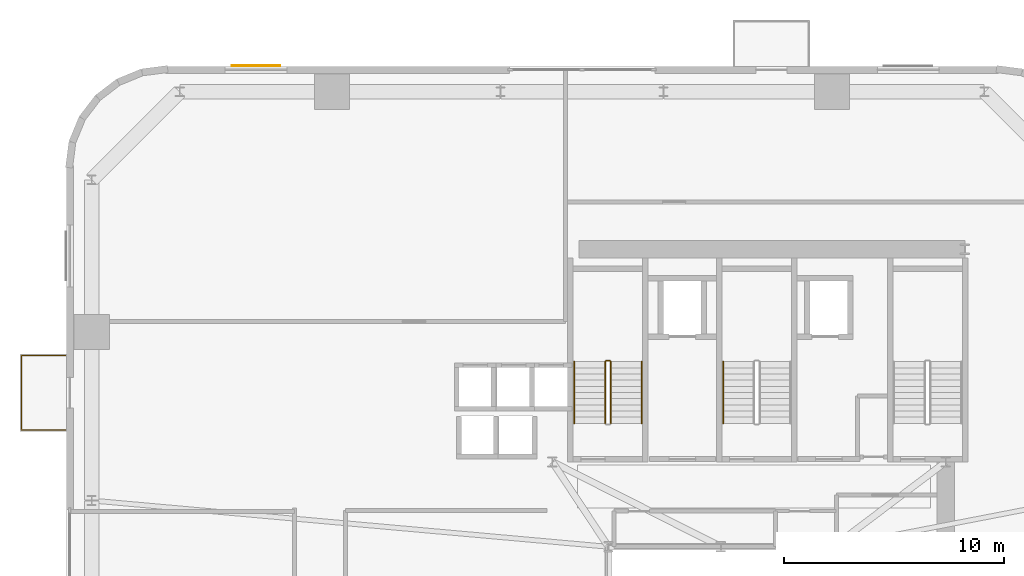
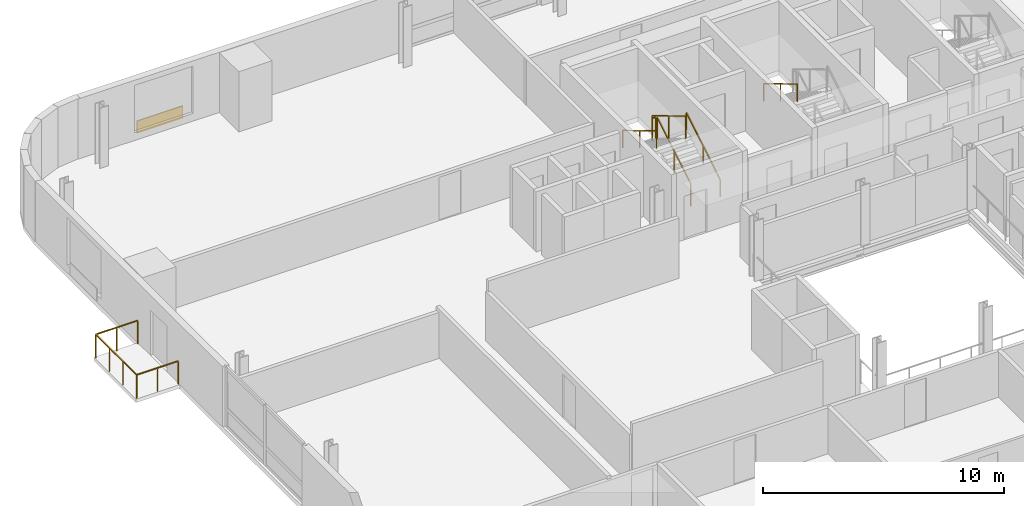
# One storey, part 13 of 14: 7 railings, 1 covering.
"""IFC4 building model written with IfcOpenShell, lengths in metres."""

from ifc_helpers import new_model, si_unit, direction, frame, origin, origin_2d, place, context, subcontext, project, spatial, rectangle, extrude, source, transform, mapped, material, layer, layer_set, type_object, element, save


model = new_model("IFC4")

# Units and contexts
model_context = context("Model", 3, precision=1e-05, world=origin(), true_north=direction((0.0, 1.0)))
body_context = subcontext(model_context, "Body", "Model", "MODEL_VIEW")
ifc_project = project(units=[si_unit("LENGTHUNIT", "METRE"), si_unit("AREAUNIT", "SQUARE_METRE"), si_unit("VOLUMEUNIT", "CUBIC_METRE"), si_unit("PLANEANGLEUNIT", "RADIAN"), si_unit("MASSUNIT", "GRAM", prefix="KILO")], contexts=[model_context])

# Site, building, storey
site_placement = place(None, origin())
site = spatial("IfcSite", under=ifc_project, at=site_placement, CompositionType="ELEMENT")
building_placement = place(site_placement, origin())
building = spatial("IfcBuilding", under=site, at=building_placement, Name="Vardaveli Station Tower", CompositionType="ELEMENT")
storey_placement = place(building_placement, frame((0.0, 0.0, 163.10009765625)))
storey = spatial("IfcBuildingStorey", under=building, at=storey_placement, Name="L42", CompositionType="ELEMENT", Elevation=163.10009765625)

# Covering
ifc_material_1 = material(Name="Ventilated honed travertine stone cladding", Category="masonry")
ifc_layer = layer(ifc_material_1, 0.044921875, Name="Ventilated honed travertine stone cladding")
ifc_layer_set = layer_set([ifc_layer], Name="Ventilated honed travertine stone cladding")
covering_type = type_object("IfcCoveringType", Name="COV-CLAD-TR45", PredefinedType="CLADDING", material=ifc_layer_set)
shared_shape_1 = source(origin(), body_context, "Body", "SweptSolid", [
    extrude(rectangle(XDim=2.199951171875, YDim=0.044921875, at=origin_2d()), origin(), (0.0, 0.0, 1.0), 0.6201171875),
])
covering_placement = place(storey_placement, frame((15.205078125, 48.614501953125, 0.06982421875), z_axis=(0.0, 0.0, 1.0), x_axis=(1.0, 0.0, 0.0)))
element("IfcCovering", 1, at=covering_placement, inside=storey, type_object=covering_type, Name="CLD-TR-L42-N", PredefinedType="CLADDING", context=body_context, shape_type="MappedRepresentation", body=[
    mapped(shared_shape_1, transform((0.0, 0.0, 0.0), scale=1.0)),
])

# Railings
ifc_material_2 = material(Name="Laminated glass and stainless steel balustrade", Category="steel")
railing_type_1 = type_object("IfcRailingType", Name="RL-BAL-1200", PredefinedType="BALUSTRADE", material=ifc_material_2)
shared_shape_2 = source(origin(), body_context, "Body", "SweptSolid", [
    extrude(rectangle(XDim=0.048095703125, YDim=0.048095703125, at=origin_2d()), frame((0.0, 0.0, 1.17578125), z_axis=(-1.0, 0.0, 0.0), x_axis=(0.0, -1.0, 0.0)), (0.0, 0.0, 1.0), 2.0),
    extrude(rectangle(XDim=0.048095703125, YDim=0.048095703125, at=origin_2d()), frame((-2.0, 0.0, 1.17578125), z_axis=(0.0, 1.0, 0.0), x_axis=(-1.0, 0.0, 0.0)), (0.0, 0.0, 1.0), 3.3798828125),
    extrude(rectangle(XDim=0.048095703125, YDim=0.048095703125, at=origin_2d()), frame((-2.0, 3.3798828125, 1.17578125), z_axis=(1.0, 0.0, 0.0), x_axis=(0.0, 1.0, 0.0)), (0.0, 0.0, 1.0), 2.0),
    extrude(rectangle(XDim=0.0419921875, YDim=0.0419921875, at=origin_2d()), origin(), (0.0, 0.0, 1.0), 1.15185546875),
    extrude(rectangle(XDim=0.0419921875, YDim=0.0419921875, at=origin_2d()), frame((-1.0, 0.0, 0.0)), (0.0, 0.0, 1.0), 1.15185546875),
    extrude(rectangle(XDim=0.0419921875, YDim=0.0419921875, at=origin_2d()), frame((-2.0, 0.0, 0.0)), (0.0, 0.0, 1.0), 1.15185546875),
    extrude(rectangle(XDim=0.0419921875, YDim=0.0419921875, at=origin_2d()), frame((-2.0, 1.126708984375, 0.0)), (0.0, 0.0, 1.0), 1.15185546875),
    extrude(rectangle(XDim=0.0419921875, YDim=0.0419921875, at=origin_2d()), frame((-2.0, 2.253173828125, 0.0)), (0.0, 0.0, 1.0), 1.15185546875),
    extrude(rectangle(XDim=0.0419921875, YDim=0.0419921875, at=origin_2d()), frame((-2.0, 3.3798828125, 0.0)), (0.0, 0.0, 1.0), 1.15185546875),
    extrude(rectangle(XDim=0.0419921875, YDim=0.0419921875, at=origin_2d()), frame((-1.0, 3.3798828125, 0.0)), (0.0, 0.0, 1.0), 1.15185546875),
    extrude(rectangle(XDim=0.0419921875, YDim=0.0419921875, at=origin_2d()), frame((0.0, 3.3798828125, 0.0)), (0.0, 0.0, 1.0), 1.15185546875),
])
railing_1_placement = place(storey_placement, frame((6.56005859375, 32.099609375, 0.0)))
element("IfcRailing", 2, at=railing_1_placement, inside=storey, type_object=railing_type_1, Name="RL-LOG-L42-03", PredefinedType="BALUSTRADE", context=body_context, shape_type="MappedRepresentation", body=[
    mapped(shared_shape_2, transform((0.0, 0.0, 0.0), scale=1.0)),
])
ifc_material_3 = material(Name="Brushed AISI 316 stainless steel", Category="steel")
railing_type_2 = type_object("IfcRailingType", Name="RL-GUARD-1150", PredefinedType="GUARDRAIL", material=ifc_material_3)
shared_shape_3 = source(origin(), body_context, "Body", "SweptSolid", [
    extrude(rectangle(XDim=0.048095703125, YDim=0.048095703125, at=origin_2d()), frame((0.0, 0.0, 1.1259765625), z_axis=(-1.0, 0.0, 0.0), x_axis=(0.0, -1.0, 0.0)), (0.0, 0.0, 1.0), 0.14990234375),
    extrude(rectangle(XDim=0.0419921875, YDim=0.0419921875, at=origin_2d()), origin(), (0.0, 0.0, 1.0), 1.101806640625),
    extrude(rectangle(XDim=0.0419921875, YDim=0.0419921875, at=origin_2d()), frame((-0.14990234375, 0.0, 0.0)), (0.0, 0.0, 1.0), 1.101806640625),
])
railing_2_placement = place(storey_placement, frame((31.25, 35.25, 1.849853515625)))
element("IfcRailing", 3, at=railing_2_placement, inside=storey, type_object=railing_type_2, Name="L42 ST-1 stair guard 2", PredefinedType="GUARDRAIL", context=body_context, shape_type="MappedRepresentation", body=[
    mapped(shared_shape_3, transform((0.0, 0.0, 0.0), scale=1.0)),
])
shared_shape_4 = source(origin(), body_context, "Body", "SweptSolid", [
    extrude(rectangle(XDim=0.048095703125, YDim=0.048095703125, at=origin_2d()), frame((0.0, 0.0, 1.1259765625), z_axis=(0.0, -0.857242210791, 0.514913383045), x_axis=(1.0, 0.0, 0.0)), (0.0, 0.0, 1.0), 3.266357421875),
    extrude(rectangle(XDim=0.0419921875, YDim=0.0419921875, at=origin_2d()), origin(), (0.0, 0.0, 1.0), 1.101806640625),
    extrude(rectangle(XDim=0.0419921875, YDim=0.0419921875, at=origin_2d()), frame((0.0, -1.39990234375, 0.8408203125)), (0.0, 0.0, 1.0), 1.101806640625),
    extrude(rectangle(XDim=0.0419921875, YDim=0.0419921875, at=origin_2d()), frame((0.0, -2.800048828125, 1.681884765625)), (0.0, 0.0, 1.0), 1.101806640625),
])
railing_3_placement = place(storey_placement, frame((31.050048828125, 35.199951171875, 2.01806640625)))
element("IfcRailing", 4, at=railing_3_placement, inside=storey, type_object=railing_type_2, Name="L42 ST-1 stair guard 3", PredefinedType="GUARDRAIL", context=body_context, shape_type="MappedRepresentation", body=[
    mapped(shared_shape_4, transform((0.0, 0.0, 0.0), scale=1.0)),
])
railing_type_3 = type_object("IfcRailingType", Name="RL-HAND-900", PredefinedType="HANDRAIL", material=ifc_material_3)
shared_shape_5 = source(origin(), body_context, "Body", "SweptSolid", [
    extrude(rectangle(XDim=0.048095703125, YDim=0.048095703125, at=origin_2d()), frame((0.0, 0.0, 0.8759765625), z_axis=(0.0, -0.857242210791, 0.514913383045), x_axis=(1.0, 0.0, 0.0)), (0.0, 0.0, 1.0), 3.266357421875),
    extrude(rectangle(XDim=0.0419921875, YDim=0.0419921875, at=origin_2d()), origin(), (0.0, 0.0, 1.0), 0.851806640625),
    extrude(rectangle(XDim=0.0419921875, YDim=0.0419921875, at=origin_2d()), frame((0.0, -1.39990234375, 0.8408203125)), (0.0, 0.0, 1.0), 0.851806640625),
    extrude(rectangle(XDim=0.0419921875, YDim=0.0419921875, at=origin_2d()), frame((0.0, -2.800048828125, 1.681884765625)), (0.0, 0.0, 1.0), 0.851806640625),
])
for number, where, name in (
    (5, (29.64990234375, 35.199951171875, 2.01806640625), "L42 ST-1 stair handrail 2"),
    (6, (36.39990234375, 35.199951171875, 2.01806640625), "L42 ST-2 stair handrail 2"),
):
    element("IfcRailing", number, at=place(storey_placement, frame(where)), inside=storey, type_object=railing_type_3, Name=name, PredefinedType="HANDRAIL", context=body_context, shape_type="MappedRepresentation", body=[
        mapped(shared_shape_5, transform((0.0, 0.0, 0.0), scale=1.0)),
    ])
shared_shape_6 = source(origin(), body_context, "Body", "SweptSolid", [
    extrude(rectangle(XDim=0.048095703125, YDim=0.048095703125, at=origin_2d()), frame((0.0, 0.0, 1.1259765625), z_axis=(0.0, 0.857242210791, 0.514913383045), x_axis=(-1.0, 0.0, 0.0)), (0.0, 0.0, 1.0), 3.266357421875),
    extrude(rectangle(XDim=0.0419921875, YDim=0.0419921875, at=origin_2d()), origin(), (0.0, 0.0, 1.0), 1.101806640625),
    extrude(rectangle(XDim=0.0419921875, YDim=0.0419921875, at=origin_2d()), frame((0.0, 1.39990234375, 0.8408203125)), (0.0, 0.0, 1.0), 1.101806640625),
    extrude(rectangle(XDim=0.0419921875, YDim=0.0419921875, at=origin_2d()), frame((0.0, 2.800048828125, 1.681884765625)), (0.0, 0.0, 1.0), 1.101806640625),
])
railing_4_placement = place(storey_placement, frame((31.300048828125, 32.39990234375, 0.16796875)))
element("IfcRailing", 7, at=railing_4_placement, inside=storey, type_object=railing_type_2, Name="L42 ST-1 stair guard 1", PredefinedType="GUARDRAIL", context=body_context, shape_type="MappedRepresentation", body=[
    mapped(shared_shape_6, transform((0.0, 0.0, 0.0), scale=1.0)),
])
shared_shape_7 = source(origin(), body_context, "Body", "SweptSolid", [
    extrude(rectangle(XDim=0.048095703125, YDim=0.048095703125, at=origin_2d()), frame((0.0, 0.0, 0.8759765625), z_axis=(0.0, 0.857242210791, 0.514913383045), x_axis=(-1.0, 0.0, 0.0)), (0.0, 0.0, 1.0), 3.266357421875),
    extrude(rectangle(XDim=0.0419921875, YDim=0.0419921875, at=origin_2d()), origin(), (0.0, 0.0, 1.0), 0.851806640625),
    extrude(rectangle(XDim=0.0419921875, YDim=0.0419921875, at=origin_2d()), frame((0.0, 1.39990234375, 0.8408203125)), (0.0, 0.0, 1.0), 0.851806640625),
    extrude(rectangle(XDim=0.0419921875, YDim=0.0419921875, at=origin_2d()), frame((0.0, 2.800048828125, 1.681884765625)), (0.0, 0.0, 1.0), 0.851806640625),
])
railing_5_placement = place(storey_placement, frame((32.699951171875, 32.39990234375, 0.16796875)))
element("IfcRailing", 8, at=railing_5_placement, inside=storey, type_object=railing_type_3, Name="L42 ST-1 stair handrail 1", PredefinedType="HANDRAIL", context=body_context, shape_type="MappedRepresentation", body=[
    mapped(shared_shape_7, transform((0.0, 0.0, 0.0), scale=1.0)),
])

save(model, "model.ifc")
